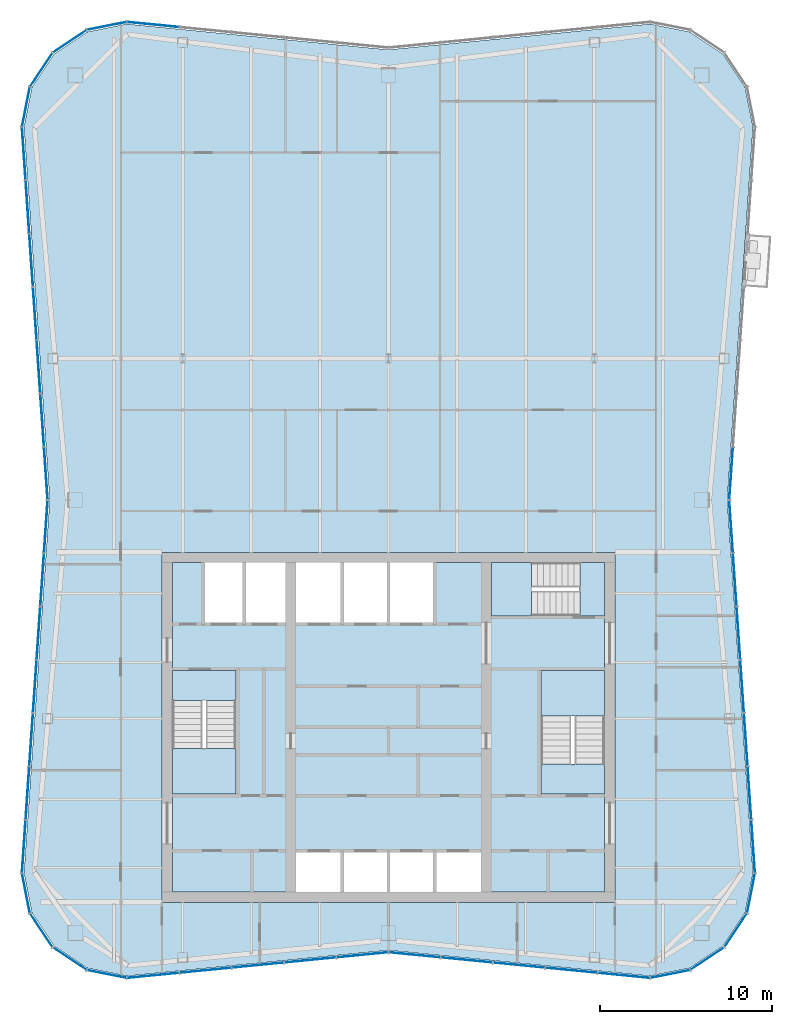
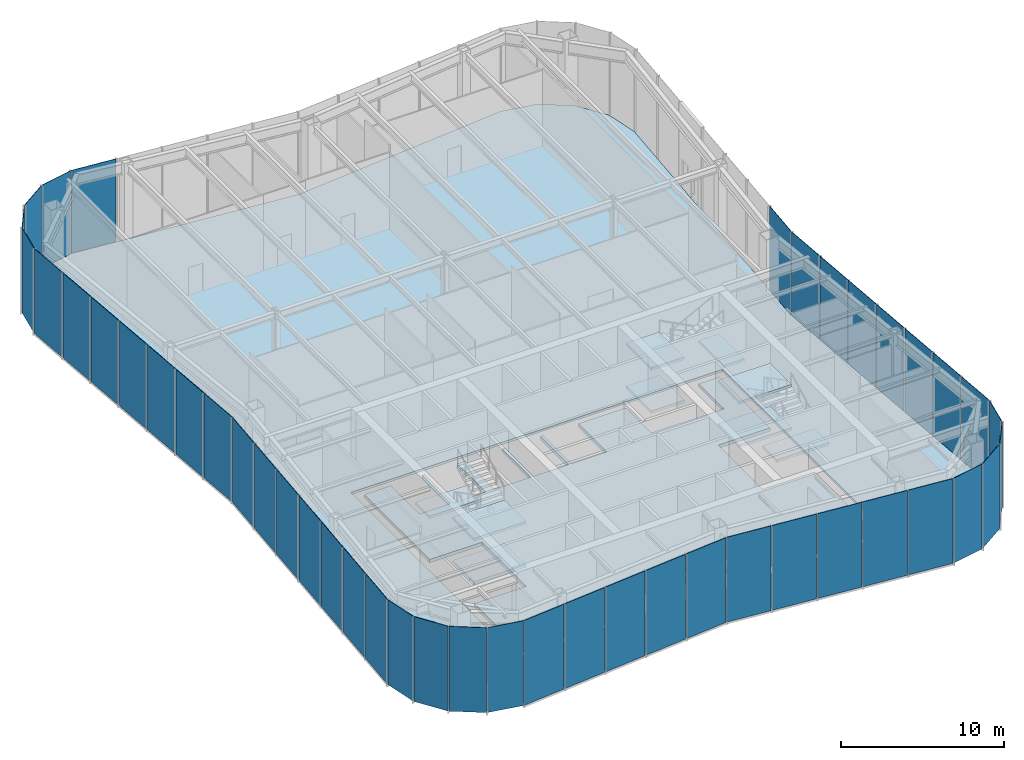
# One storey, part 8 of 15: 45 plates, 11 slabs, 10 elements without a shape of their own.
"""IFC4 building model written with IfcOpenShell, lengths in metres."""

from ifc_helpers import new_model, si_unit, direction, frame, origin, origin_2d, place, context, subcontext, project, spatial, polyline, rectangle, outline, extrude, material, layer, layer_set, type_object, element, aggregate, save


model = new_model("IFC4")

# Units and contexts
model_context = context("Model", 3, precision=1e-05, world=origin(), true_north=direction((0.0, 1.0)))
body_context = subcontext(model_context, "Body", "Model", "MODEL_VIEW")
ifc_project = project(units=[si_unit("LENGTHUNIT", "METRE"), si_unit("AREAUNIT", "SQUARE_METRE"), si_unit("VOLUMEUNIT", "CUBIC_METRE"), si_unit("PLANEANGLEUNIT", "RADIAN"), si_unit("MASSUNIT", "GRAM", prefix="KILO")], contexts=[model_context])

# Site, building, storey
site_placement = place(None, origin())
site = spatial("IfcSite", under=ifc_project, at=site_placement, CompositionType="ELEMENT")
building_placement = place(site_placement, origin())
building = spatial("IfcBuilding", under=site, at=building_placement, Name="Verdant Reach Tower", CompositionType="ELEMENT")
storey_placement = place(building_placement, frame((0.0, 0.0, 334.0)))
storey = spatial("IfcBuildingStorey", under=building, at=storey_placement, Name="L77", CompositionType="ELEMENT", Elevation=334.0)

# Stair, slabs
ifc_material_1 = material(Name="Concrete C40/50", Category="concrete")
stair_type = type_object("IfcStairType", Name="CO-STAIR", PredefinedType="HALF_TURN_STAIR", material=ifc_material_1)
stair_1_placement = place(storey_placement, origin())
stair_1 = element("IfcStair", 1, at=stair_1_placement, inside=storey, type_object=stair_type, Name="L77 Exit stair 1", PredefinedType="HALF_TURN_STAIR")
ifc_layer_1 = layer(ifc_material_1, 0.199951171875)
ifc_layer_set_1 = layer_set([ifc_layer_1], Name="CO-STAIR-LANDING")
slab_type_1 = type_object("IfcSlabType", Name="CO-STAIR-LANDING", PredefinedType="LANDING", material=ifc_layer_set_1)
slab_1_placement = place(storey_placement, frame((0.0, 0.0, 1.425048828125)))
slab_1 = element("IfcSlab", 2, at=slab_1_placement, type_object=slab_type_1, Name="ST-1 landing 1", PredefinedType="LANDING", context=body_context, shape_type="SweptSolid", body=[
    extrude(outline(polyline([(-12.60009765625, 26.75), (-12.60009765625, 24.10009765625), (-8.89990234375, 24.10009765625), (-8.89990234375, 26.75), (-12.60009765625, 26.75)])), origin(), (0.0, 0.0, 1.0), 0.199951171875),
])
slab_2_placement = place(storey_placement, frame((0.0, 0.0, 3.050048828125)))
slab_2 = element("IfcSlab", 3, at=slab_2_placement, type_object=slab_type_1, Name="ST-1 landing 2", PredefinedType="LANDING", context=body_context, shape_type="SweptSolid", body=[
    extrude(outline(polyline([(-12.60009765625, 31.300048828125), (-12.60009765625, 29.550048828125), (-8.89990234375, 29.550048828125), (-8.89990234375, 31.300048828125), (-12.60009765625, 31.300048828125)])), origin(), (0.0, 0.0, 1.0), 0.199951171875),
])
slab_3_placement = place(storey_placement, frame((0.0, 0.0, 4.675048828125)))
slab_3 = element("IfcSlab", 4, at=slab_3_placement, type_object=slab_type_1, Name="ST-1 landing 3", PredefinedType="LANDING", context=body_context, shape_type="SweptSolid", body=[
    extrude(outline(polyline([(-12.60009765625, 26.75), (-12.60009765625, 24.10009765625), (-8.89990234375, 24.10009765625), (-8.89990234375, 26.75), (-12.60009765625, 26.75)])), origin(), (0.0, 0.0, 1.0), 0.199951171875),
])
aggregate(stair_1, [slab_1, slab_2, slab_3])

stair_2_placement = place(storey_placement, origin())
stair_2 = element("IfcStair", 5, at=stair_2_placement, inside=storey, type_object=stair_type, Name="L77 Exit stair 2", PredefinedType="HALF_TURN_STAIR")
slab_4_placement = place(storey_placement, frame((0.0, 0.0, 1.425048828125)))
slab_4 = element("IfcSlab", 6, at=slab_4_placement, type_object=slab_type_1, Name="ST-2 landing 1", PredefinedType="LANDING", context=body_context, shape_type="SweptSolid", body=[
    extrude(outline(polyline([(12.60009765625, 28.64990234375), (12.60009765625, 31.300048828125), (8.89990234375, 31.300048828125), (8.89990234375, 28.64990234375), (12.60009765625, 28.64990234375)])), origin(), (0.0, 0.0, 1.0), 0.199951171875),
])
slab_5_placement = place(storey_placement, frame((0.0, 0.0, 3.050048828125)))
slab_5 = element("IfcSlab", 7, at=slab_5_placement, type_object=slab_type_1, Name="ST-2 landing 2", PredefinedType="LANDING", context=body_context, shape_type="SweptSolid", body=[
    extrude(outline(polyline([(12.60009765625, 24.10009765625), (12.60009765625, 25.85009765625), (8.89990234375, 25.85009765625), (8.89990234375, 24.10009765625), (12.60009765625, 24.10009765625)])), origin(), (0.0, 0.0, 1.0), 0.199951171875),
])
slab_6_placement = place(storey_placement, frame((0.0, 0.0, 4.675048828125)))
slab_6 = element("IfcSlab", 8, at=slab_6_placement, type_object=slab_type_1, Name="ST-2 landing 3", PredefinedType="LANDING", context=body_context, shape_type="SweptSolid", body=[
    extrude(outline(polyline([(12.60009765625, 28.64990234375), (12.60009765625, 31.300048828125), (8.89990234375, 31.300048828125), (8.89990234375, 28.64990234375), (12.60009765625, 28.64990234375)])), origin(), (0.0, 0.0, 1.0), 0.199951171875),
])
aggregate(stair_2, [slab_4, slab_5, slab_6])

stair_3_placement = place(storey_placement, origin())
stair_3 = element("IfcStair", 9, at=stair_3_placement, inside=storey, type_object=stair_type, Name="L77 Exit stair 3", PredefinedType="HALF_TURN_STAIR")
slab_7_placement = place(storey_placement, frame((0.0, 0.0, 1.425048828125)))
slab_7 = element("IfcSlab", 10, at=slab_7_placement, type_object=slab_type_1, Name="ST-3 landing 1", PredefinedType="LANDING", context=body_context, shape_type="SweptSolid", body=[
    extrude(outline(polyline([(8.35009765625, 37.60009765625), (6.0, 37.60009765625), (6.0, 34.5), (8.35009765625, 34.5), (8.35009765625, 37.60009765625)])), origin(), (0.0, 0.0, 1.0), 0.199951171875),
])
slab_8_placement = place(storey_placement, frame((0.0, 0.0, 3.050048828125)))
slab_8 = element("IfcSlab", 11, at=slab_8_placement, type_object=slab_type_1, Name="ST-3 landing 2", PredefinedType="LANDING", context=body_context, shape_type="SweptSolid", body=[
    extrude(outline(polyline([(12.60009765625, 37.60009765625), (11.14990234375, 37.60009765625), (11.14990234375, 34.5), (12.60009765625, 34.5), (12.60009765625, 37.60009765625)])), origin(), (0.0, 0.0, 1.0), 0.199951171875),
])
slab_9_placement = place(storey_placement, frame((0.0, 0.0, 4.675048828125)))
slab_9 = element("IfcSlab", 12, at=slab_9_placement, type_object=slab_type_1, Name="ST-3 landing 3", PredefinedType="LANDING", context=body_context, shape_type="SweptSolid", body=[
    extrude(outline(polyline([(8.35009765625, 37.60009765625), (6.0, 37.60009765625), (6.0, 34.5), (8.35009765625, 34.5), (8.35009765625, 37.60009765625)])), origin(), (0.0, 0.0, 1.0), 0.199951171875),
])
aggregate(stair_3, [slab_7, slab_8, slab_9])

# Curtain wall, plates
ifc_material_2 = material(Name="Anodised aluminium", Category="aluminium")
curtain_wall_type = type_object("IfcCurtainWallType", Name="EN-CW SYSTEM Z5", PredefinedType="NOTDEFINED", material=ifc_material_2)
curtain_wall_1_placement = place(storey_placement, origin())
curtain_wall_1 = element("IfcCurtainWall", 13, at=curtain_wall_1_placement, inside=storey, type_object=curtain_wall_type, Name="Curtain wall south-east corner, L77", PredefinedType="NOTDEFINED")
ifc_material_3 = material(Name="Clear laminated glass", Category="glass")
ifc_layer_2 = layer(ifc_material_3, 0.035888671875)
ifc_layer_set_2 = layer_set([ifc_layer_2], Name="EN-PANEL CLEAR")
plate_type = type_object("IfcPlateType", Name="EN-PANEL CLEAR", PredefinedType="CURTAIN_PANEL", material=ifc_layer_set_2)
plate_1_placement = place(storey_placement, frame((16.4228515625, 13.61767578125, -0.219970703125), z_axis=(0.0, 0.0, 1.0), x_axis=(0.980707834885, 0.195479263851, 0.0)))
plate_1 = element("IfcPlate", 14, at=plate_1_placement, type_object=plate_type, Name="Glass panel south-east corner 1.1, L77", PredefinedType="CURTAIN_PANEL", context=body_context, shape_type="SweptSolid", body=[
    extrude(rectangle(XDim=2.314453125, YDim=0.035888671875, at=origin_2d()), origin(), (0.0, 0.0, 1.0), 6.3701171875),
])
plate_2_placement = place(storey_placement, frame((18.58203125, 14.51318359375, -0.219970703125), z_axis=(0.0, 0.0, 1.0), x_axis=(0.831452073794, 0.555596480355, 0.0)))
plate_2 = element("IfcPlate", 15, at=plate_2_placement, type_object=plate_type, Name="Glass panel south-east corner 2.1, L77", PredefinedType="CURTAIN_PANEL", context=body_context, shape_type="SweptSolid", body=[
    extrude(rectangle(XDim=2.320068359375, YDim=0.035888671875, at=origin_2d()), origin(), (0.0, 0.0, 1.0), 6.3701171875),
])
plate_3_placement = place(storey_placement, frame((20.23681640625, 16.16796875, -0.219970703125), z_axis=(0.0, 0.0, 1.0), x_axis=(0.555596480355, 0.831452073794, 0.0)))
plate_3 = element("IfcPlate", 16, at=plate_3_placement, type_object=plate_type, Name="Glass panel south-east corner 3.1, L77", PredefinedType="CURTAIN_PANEL", context=body_context, shape_type="SweptSolid", body=[
    extrude(rectangle(XDim=2.320068359375, YDim=0.035888671875, at=origin_2d()), origin(), (0.0, 0.0, 1.0), 6.3701171875),
])
plate_4_placement = place(storey_placement, frame((21.132080078125, 18.326171875, -0.219970703125), z_axis=(0.0, 0.0, 1.0), x_axis=(0.195576026696, 0.980688542699, 0.0)))
plate_4 = element("IfcPlate", 17, at=plate_4_placement, type_object=plate_type, Name="Glass panel south-east corner 4.1, L77", PredefinedType="CURTAIN_PANEL", context=body_context, shape_type="SweptSolid", body=[
    extrude(rectangle(XDim=2.312744140625, YDim=0.035888671875, at=origin_2d()), origin(), (0.0, 0.0, 1.0), 6.3701171875),
])
aggregate(curtain_wall_1, [plate_1, plate_2, plate_3, plate_4])

curtain_wall_2_placement = place(storey_placement, origin())
curtain_wall_2 = element("IfcCurtainWall", 18, at=curtain_wall_2_placement, inside=storey, type_object=curtain_wall_type, Name="Curtain wall east, L77", PredefinedType="NOTDEFINED")
plate_5_placement = place(storey_placement, frame((21.257568359375, 21.053955078125, -0.219970703125), z_axis=(0.0, 0.0, 1.0), x_axis=(-0.068480299779, 0.99765246882, 0.0)))
plate_5 = element("IfcPlate", 19, at=plate_5_placement, type_object=plate_type, Name="Glass panel east face part 1 1.1, L77", PredefinedType="CURTAIN_PANEL", context=body_context, shape_type="SweptSolid", body=[
    extrude(rectangle(XDim=3.063720703125, YDim=0.035888671875, at=origin_2d()), origin(), (0.0, 0.0, 1.0), 6.3701171875),
])
plate_6_placement = place(storey_placement, frame((21.043212890625, 24.168701171875, -0.219970703125), z_axis=(0.0, 0.0, 1.0), x_axis=(-0.068802091615, 0.997630328423, 0.0)))
plate_6 = element("IfcPlate", 20, at=plate_6_placement, type_object=plate_type, Name="Glass panel east face part 1 2.1, L77", PredefinedType="CURTAIN_PANEL", context=body_context, shape_type="SweptSolid", body=[
    extrude(rectangle(XDim=3.048583984375, YDim=0.035888671875, at=origin_2d()), origin(), (0.0, 0.0, 1.0), 6.3701171875),
])
plate_7_placement = place(storey_placement, frame((20.8291015625, 27.27587890625, -0.219970703125), z_axis=(0.0, 0.0, 1.0), x_axis=(-0.068802091615, 0.997630328423, 0.0)))
plate_7 = element("IfcPlate", 21, at=plate_7_placement, type_object=plate_type, Name="Glass panel east face part 1 3.1, L77", PredefinedType="CURTAIN_PANEL", context=body_context, shape_type="SweptSolid", body=[
    extrude(rectangle(XDim=3.048583984375, YDim=0.035888671875, at=origin_2d()), origin(), (0.0, 0.0, 1.0), 6.3701171875),
])
plate_8_placement = place(storey_placement, frame((20.61474609375, 30.3828125, -0.219970703125), z_axis=(0.0, 0.0, 1.0), x_axis=(-0.068802091615, 0.997630328423, 0.0)))
plate_8 = element("IfcPlate", 22, at=plate_8_placement, type_object=plate_type, Name="Glass panel east face part 1 4.1, L77", PredefinedType="CURTAIN_PANEL", context=body_context, shape_type="SweptSolid", body=[
    extrude(rectangle(XDim=3.048583984375, YDim=0.035888671875, at=origin_2d()), origin(), (0.0, 0.0, 1.0), 6.3701171875),
])
plate_9_placement = place(storey_placement, frame((20.400390625, 33.489990234375, -0.219970703125), z_axis=(0.0, 0.0, 1.0), x_axis=(-0.068802091615, 0.997630328423, 0.0)))
plate_9 = element("IfcPlate", 23, at=plate_9_placement, type_object=plate_type, Name="Glass panel east face part 1 5.1, L77", PredefinedType="CURTAIN_PANEL", context=body_context, shape_type="SweptSolid", body=[
    extrude(rectangle(XDim=3.048583984375, YDim=0.035888671875, at=origin_2d()), origin(), (0.0, 0.0, 1.0), 6.3701171875),
])
plate_10_placement = place(storey_placement, frame((20.18603515625, 36.59716796875, -0.219970703125), z_axis=(0.0, 0.0, 1.0), x_axis=(-0.068802091615, 0.997630328423, 0.0)))
plate_10 = element("IfcPlate", 24, at=plate_10_placement, type_object=plate_type, Name="Glass panel east face part 1 6.1, L77", PredefinedType="CURTAIN_PANEL", context=body_context, shape_type="SweptSolid", body=[
    extrude(rectangle(XDim=3.048583984375, YDim=0.035888671875, at=origin_2d()), origin(), (0.0, 0.0, 1.0), 6.3701171875),
])
plate_11_placement = place(storey_placement, frame((19.971923828125, 39.700439453125, -0.219970703125), z_axis=(0.0, 0.0, 1.0), x_axis=(-0.068889603591, 0.997624289258, 0.0)))
plate_11 = element("IfcPlate", 25, at=plate_11_placement, type_object=plate_type, Name="Glass panel east face part 1 7.1, L77", PredefinedType="CURTAIN_PANEL", context=body_context, shape_type="SweptSolid", body=[
    extrude(rectangle(XDim=3.04052734375, YDim=0.035888671875, at=origin_2d()), origin(), (0.0, 0.0, 1.0), 6.3701171875),
])
plate_12_placement = place(storey_placement, frame((19.971923828125, 42.799560546875, -0.219970703125), z_axis=(0.0, 0.0, 1.0), x_axis=(0.068889603591, 0.997624289258, 0.0)))
plate_12 = element("IfcPlate", 26, at=plate_12_placement, type_object=plate_type, Name="Glass panel east face part 2 1.1, L77", PredefinedType="CURTAIN_PANEL", context=body_context, shape_type="SweptSolid", body=[
    extrude(rectangle(XDim=3.04052734375, YDim=0.035888671875, at=origin_2d()), origin(), (0.0, 0.0, 1.0), 6.3701171875),
])
aggregate(curtain_wall_2, [plate_5, plate_6, plate_7, plate_8, plate_9, plate_10, plate_11, plate_12])

# Curtain wall, plate
curtain_wall_3_placement = place(storey_placement, origin())
curtain_wall_3 = element("IfcCurtainWall", 27, at=curtain_wall_3_placement, inside=storey, type_object=curtain_wall_type, Name="Curtain wall north, L77", PredefinedType="NOTDEFINED")
plate_13_placement = place(storey_placement, frame((-13.72216796875, 68.964599609375, -0.219970703125), z_axis=(0.0, 0.0, 1.0), x_axis=(-0.995236831236, 0.097486664476, 0.0)))
plate_13 = element("IfcPlate", 28, at=plate_13_placement, type_object=plate_type, Name="Glass panel north face part 2 5.1, L77", PredefinedType="CURTAIN_PANEL", context=body_context, shape_type="SweptSolid", body=[
    extrude(rectangle(XDim=3.015625, YDim=0.035888671875, at=origin_2d()), origin(), (0.0, 0.0, 1.0), 6.3701171875),
])
aggregate(curtain_wall_3, [plate_13])

# Curtain wall, plates
curtain_wall_4_placement = place(storey_placement, origin())
curtain_wall_4 = element("IfcCurtainWall", 29, at=curtain_wall_4_placement, inside=storey, type_object=curtain_wall_type, Name="Curtain wall north-west corner, L77", PredefinedType="NOTDEFINED")
plate_14_placement = place(storey_placement, frame((-16.4228515625, 68.88232421875, -0.219970703125), z_axis=(0.0, 0.0, 1.0), x_axis=(-0.980707834885, -0.195479263851, 0.0)))
plate_14 = element("IfcPlate", 30, at=plate_14_placement, type_object=plate_type, Name="Glass panel north-west corner 1.1, L77", PredefinedType="CURTAIN_PANEL", context=body_context, shape_type="SweptSolid", body=[
    extrude(rectangle(XDim=2.314453125, YDim=0.035888671875, at=origin_2d()), origin(), (0.0, 0.0, 1.0), 6.3701171875),
])
plate_15_placement = place(storey_placement, frame((-18.58203125, 67.98681640625, -0.219970703125), z_axis=(0.0, 0.0, 1.0), x_axis=(-0.831452073794, -0.555596480355, 0.0)))
plate_15 = element("IfcPlate", 31, at=plate_15_placement, type_object=plate_type, Name="Glass panel north-west corner 2.1, L77", PredefinedType="CURTAIN_PANEL", context=body_context, shape_type="SweptSolid", body=[
    extrude(rectangle(XDim=2.320068359375, YDim=0.035888671875, at=origin_2d()), origin(), (0.0, 0.0, 1.0), 6.3701171875),
])
plate_16_placement = place(storey_placement, frame((-20.23681640625, 66.33203125, -0.219970703125), z_axis=(0.0, 0.0, 1.0), x_axis=(-0.555596480355, -0.831452073794, 0.0)))
plate_16 = element("IfcPlate", 32, at=plate_16_placement, type_object=plate_type, Name="Glass panel north-west corner 3.1, L77", PredefinedType="CURTAIN_PANEL", context=body_context, shape_type="SweptSolid", body=[
    extrude(rectangle(XDim=2.320068359375, YDim=0.035888671875, at=origin_2d()), origin(), (0.0, 0.0, 1.0), 6.3701171875),
])
plate_17_placement = place(storey_placement, frame((-21.132080078125, 64.173828125, -0.219970703125), z_axis=(0.0, 0.0, 1.0), x_axis=(-0.195576026696, -0.980688542699, 0.0)))
plate_17 = element("IfcPlate", 33, at=plate_17_placement, type_object=plate_type, Name="Glass panel north-west corner 4.1, L77", PredefinedType="CURTAIN_PANEL", context=body_context, shape_type="SweptSolid", body=[
    extrude(rectangle(XDim=2.312744140625, YDim=0.035888671875, at=origin_2d()), origin(), (0.0, 0.0, 1.0), 6.3701171875),
])
aggregate(curtain_wall_4, [plate_14, plate_15, plate_16, plate_17])

curtain_wall_5_placement = place(storey_placement, origin())
curtain_wall_5 = element("IfcCurtainWall", 34, at=curtain_wall_5_placement, inside=storey, type_object=curtain_wall_type, Name="Curtain wall west, L77", PredefinedType="NOTDEFINED")
plate_18_placement = place(storey_placement, frame((-21.257568359375, 61.446044921875, -0.219970703125), z_axis=(0.0, 0.0, 1.0), x_axis=(0.068480299779, -0.99765246882, 0.0)))
plate_18 = element("IfcPlate", 35, at=plate_18_placement, type_object=plate_type, Name="Glass panel west face part 1 1.1, L77", PredefinedType="CURTAIN_PANEL", context=body_context, shape_type="SweptSolid", body=[
    extrude(rectangle(XDim=3.063720703125, YDim=0.035888671875, at=origin_2d()), origin(), (0.0, 0.0, 1.0), 6.3701171875),
])
plate_19_placement = place(storey_placement, frame((-21.043212890625, 58.331298828125, -0.219970703125), z_axis=(0.0, 0.0, 1.0), x_axis=(0.068802091615, -0.997630328423, 0.0)))
plate_19 = element("IfcPlate", 36, at=plate_19_placement, type_object=plate_type, Name="Glass panel west face part 1 2.1, L77", PredefinedType="CURTAIN_PANEL", context=body_context, shape_type="SweptSolid", body=[
    extrude(rectangle(XDim=3.048583984375, YDim=0.035888671875, at=origin_2d()), origin(), (0.0, 0.0, 1.0), 6.3701171875),
])
plate_20_placement = place(storey_placement, frame((-20.8291015625, 55.22412109375, -0.219970703125), z_axis=(0.0, 0.0, 1.0), x_axis=(0.068802091615, -0.997630328423, 0.0)))
plate_20 = element("IfcPlate", 37, at=plate_20_placement, type_object=plate_type, Name="Glass panel west face part 1 3.1, L77", PredefinedType="CURTAIN_PANEL", context=body_context, shape_type="SweptSolid", body=[
    extrude(rectangle(XDim=3.048583984375, YDim=0.035888671875, at=origin_2d()), origin(), (0.0, 0.0, 1.0), 6.3701171875),
])
plate_21_placement = place(storey_placement, frame((-20.61474609375, 52.1171875, -0.219970703125), z_axis=(0.0, 0.0, 1.0), x_axis=(0.068802091615, -0.997630328423, 0.0)))
plate_21 = element("IfcPlate", 38, at=plate_21_placement, type_object=plate_type, Name="Glass panel west face part 1 4.1, L77", PredefinedType="CURTAIN_PANEL", context=body_context, shape_type="SweptSolid", body=[
    extrude(rectangle(XDim=3.048583984375, YDim=0.035888671875, at=origin_2d()), origin(), (0.0, 0.0, 1.0), 6.3701171875),
])
plate_22_placement = place(storey_placement, frame((-20.400390625, 49.010009765625, -0.219970703125), z_axis=(0.0, 0.0, 1.0), x_axis=(0.068802091615, -0.997630328423, 0.0)))
plate_22 = element("IfcPlate", 39, at=plate_22_placement, type_object=plate_type, Name="Glass panel west face part 1 5.1, L77", PredefinedType="CURTAIN_PANEL", context=body_context, shape_type="SweptSolid", body=[
    extrude(rectangle(XDim=3.048583984375, YDim=0.035888671875, at=origin_2d()), origin(), (0.0, 0.0, 1.0), 6.3701171875),
])
plate_23_placement = place(storey_placement, frame((-20.18603515625, 45.90283203125, -0.219970703125), z_axis=(0.0, 0.0, 1.0), x_axis=(0.068802091615, -0.997630328423, 0.0)))
plate_23 = element("IfcPlate", 40, at=plate_23_placement, type_object=plate_type, Name="Glass panel west face part 1 6.1, L77", PredefinedType="CURTAIN_PANEL", context=body_context, shape_type="SweptSolid", body=[
    extrude(rectangle(XDim=3.048583984375, YDim=0.035888671875, at=origin_2d()), origin(), (0.0, 0.0, 1.0), 6.3701171875),
])
plate_24_placement = place(storey_placement, frame((-19.971923828125, 42.799560546875, -0.219970703125), z_axis=(0.0, 0.0, 1.0), x_axis=(0.068889603591, -0.997624289258, 0.0)))
plate_24 = element("IfcPlate", 41, at=plate_24_placement, type_object=plate_type, Name="Glass panel west face part 1 7.1, L77", PredefinedType="CURTAIN_PANEL", context=body_context, shape_type="SweptSolid", body=[
    extrude(rectangle(XDim=3.04052734375, YDim=0.035888671875, at=origin_2d()), origin(), (0.0, 0.0, 1.0), 6.3701171875),
])
plate_25_placement = place(storey_placement, frame((-19.971923828125, 39.700439453125, -0.219970703125), z_axis=(0.0, 0.0, 1.0), x_axis=(-0.068889603591, -0.997624289258, 0.0)))
plate_25 = element("IfcPlate", 42, at=plate_25_placement, type_object=plate_type, Name="Glass panel west face part 2 1.1, L77", PredefinedType="CURTAIN_PANEL", context=body_context, shape_type="SweptSolid", body=[
    extrude(rectangle(XDim=3.04052734375, YDim=0.035888671875, at=origin_2d()), origin(), (0.0, 0.0, 1.0), 6.3701171875),
])
plate_26_placement = place(storey_placement, frame((-20.18603515625, 36.59716796875, -0.219970703125), z_axis=(0.0, 0.0, 1.0), x_axis=(-0.068802091615, -0.997630328423, 0.0)))
plate_26 = element("IfcPlate", 43, at=plate_26_placement, type_object=plate_type, Name="Glass panel west face part 2 2.1, L77", PredefinedType="CURTAIN_PANEL", context=body_context, shape_type="SweptSolid", body=[
    extrude(rectangle(XDim=3.048583984375, YDim=0.035888671875, at=origin_2d()), origin(), (0.0, 0.0, 1.0), 6.3701171875),
])
plate_27_placement = place(storey_placement, frame((-20.400390625, 33.489990234375, -0.219970703125), z_axis=(0.0, 0.0, 1.0), x_axis=(-0.068802091615, -0.997630328423, 0.0)))
plate_27 = element("IfcPlate", 44, at=plate_27_placement, type_object=plate_type, Name="Glass panel west face part 2 3.1, L77", PredefinedType="CURTAIN_PANEL", context=body_context, shape_type="SweptSolid", body=[
    extrude(rectangle(XDim=3.048583984375, YDim=0.035888671875, at=origin_2d()), origin(), (0.0, 0.0, 1.0), 6.3701171875),
])
plate_28_placement = place(storey_placement, frame((-20.61474609375, 30.3828125, -0.219970703125), z_axis=(0.0, 0.0, 1.0), x_axis=(-0.068802091615, -0.997630328423, 0.0)))
plate_28 = element("IfcPlate", 45, at=plate_28_placement, type_object=plate_type, Name="Glass panel west face part 2 4.1, L77", PredefinedType="CURTAIN_PANEL", context=body_context, shape_type="SweptSolid", body=[
    extrude(rectangle(XDim=3.048583984375, YDim=0.035888671875, at=origin_2d()), origin(), (0.0, 0.0, 1.0), 6.3701171875),
])
plate_29_placement = place(storey_placement, frame((-20.8291015625, 27.27587890625, -0.219970703125), z_axis=(0.0, 0.0, 1.0), x_axis=(-0.068802091615, -0.997630328423, 0.0)))
plate_29 = element("IfcPlate", 46, at=plate_29_placement, type_object=plate_type, Name="Glass panel west face part 2 5.1, L77", PredefinedType="CURTAIN_PANEL", context=body_context, shape_type="SweptSolid", body=[
    extrude(rectangle(XDim=3.048583984375, YDim=0.035888671875, at=origin_2d()), origin(), (0.0, 0.0, 1.0), 6.3701171875),
])
plate_30_placement = place(storey_placement, frame((-21.043212890625, 24.168701171875, -0.219970703125), z_axis=(0.0, 0.0, 1.0), x_axis=(-0.068802091615, -0.997630328423, 0.0)))
plate_30 = element("IfcPlate", 47, at=plate_30_placement, type_object=plate_type, Name="Glass panel west face part 2 6.1, L77", PredefinedType="CURTAIN_PANEL", context=body_context, shape_type="SweptSolid", body=[
    extrude(rectangle(XDim=3.048583984375, YDim=0.035888671875, at=origin_2d()), origin(), (0.0, 0.0, 1.0), 6.3701171875),
])
plate_31_placement = place(storey_placement, frame((-21.257568359375, 21.053955078125, -0.219970703125), z_axis=(0.0, 0.0, 1.0), x_axis=(-0.068480299779, -0.99765246882, 0.0)))
plate_31 = element("IfcPlate", 48, at=plate_31_placement, type_object=plate_type, Name="Glass panel west face part 2 7.1, L77", PredefinedType="CURTAIN_PANEL", context=body_context, shape_type="SweptSolid", body=[
    extrude(rectangle(XDim=3.063720703125, YDim=0.035888671875, at=origin_2d()), origin(), (0.0, 0.0, 1.0), 6.3701171875),
])
aggregate(curtain_wall_5, [plate_18, plate_19, plate_20, plate_21, plate_22, plate_23, plate_24, plate_25, plate_26, plate_27, plate_28, plate_29, plate_30, plate_31])

curtain_wall_6_placement = place(storey_placement, origin())
curtain_wall_6 = element("IfcCurtainWall", 49, at=curtain_wall_6_placement, inside=storey, type_object=curtain_wall_type, Name="Curtain wall south-west corner, L77", PredefinedType="NOTDEFINED")
plate_32_placement = place(storey_placement, frame((-21.132080078125, 18.326171875, -0.219970703125), z_axis=(0.0, 0.0, 1.0), x_axis=(0.195576026696, -0.980688542699, 0.0)))
plate_32 = element("IfcPlate", 50, at=plate_32_placement, type_object=plate_type, Name="Glass panel south-west corner 1.1, L77", PredefinedType="CURTAIN_PANEL", context=body_context, shape_type="SweptSolid", body=[
    extrude(rectangle(XDim=2.312744140625, YDim=0.035888671875, at=origin_2d()), origin(), (0.0, 0.0, 1.0), 6.3701171875),
])
plate_33_placement = place(storey_placement, frame((-20.23681640625, 16.16796875, -0.219970703125), z_axis=(0.0, 0.0, 1.0), x_axis=(0.555596480355, -0.831452073794, 0.0)))
plate_33 = element("IfcPlate", 51, at=plate_33_placement, type_object=plate_type, Name="Glass panel south-west corner 2.1, L77", PredefinedType="CURTAIN_PANEL", context=body_context, shape_type="SweptSolid", body=[
    extrude(rectangle(XDim=2.320068359375, YDim=0.035888671875, at=origin_2d()), origin(), (0.0, 0.0, 1.0), 6.3701171875),
])
plate_34_placement = place(storey_placement, frame((-18.58203125, 14.51318359375, -0.219970703125), z_axis=(0.0, 0.0, 1.0), x_axis=(0.831452073794, -0.555596480355, 0.0)))
plate_34 = element("IfcPlate", 52, at=plate_34_placement, type_object=plate_type, Name="Glass panel south-west corner 3.1, L77", PredefinedType="CURTAIN_PANEL", context=body_context, shape_type="SweptSolid", body=[
    extrude(rectangle(XDim=2.320068359375, YDim=0.035888671875, at=origin_2d()), origin(), (0.0, 0.0, 1.0), 6.3701171875),
])
plate_35_placement = place(storey_placement, frame((-16.4228515625, 13.61767578125, -0.219970703125), z_axis=(0.0, 0.0, 1.0), x_axis=(0.980707834885, -0.195479263851, 0.0)))
plate_35 = element("IfcPlate", 53, at=plate_35_placement, type_object=plate_type, Name="Glass panel south-west corner 4.1, L77", PredefinedType="CURTAIN_PANEL", context=body_context, shape_type="SweptSolid", body=[
    extrude(rectangle(XDim=2.314453125, YDim=0.035888671875, at=origin_2d()), origin(), (0.0, 0.0, 1.0), 6.3701171875),
])
aggregate(curtain_wall_6, [plate_32, plate_33, plate_34, plate_35])

curtain_wall_7_placement = place(storey_placement, origin())
curtain_wall_7 = element("IfcCurtainWall", 54, at=curtain_wall_7_placement, inside=storey, type_object=curtain_wall_type, Name="Curtain wall south, L77", PredefinedType="NOTDEFINED")
plate_36_placement = place(storey_placement, frame((-13.72216796875, 13.535400390625, -0.219970703125), z_axis=(0.0, 0.0, 1.0), x_axis=(0.995236831236, 0.097486664476, 0.0)))
plate_36 = element("IfcPlate", 55, at=plate_36_placement, type_object=plate_type, Name="Glass panel south face part 1 1.1, L77", PredefinedType="CURTAIN_PANEL", context=body_context, shape_type="SweptSolid", body=[
    extrude(rectangle(XDim=3.015625, YDim=0.035888671875, at=origin_2d()), origin(), (0.0, 0.0, 1.0), 6.3701171875),
])
plate_37_placement = place(storey_placement, frame((-10.663818359375, 13.83544921875, -0.219970703125), z_axis=(0.0, 0.0, 1.0), x_axis=(0.995197410875, 0.09788826992, 0.0)))
plate_37 = element("IfcPlate", 56, at=plate_37_placement, type_object=plate_type, Name="Glass panel south face part 1 2.1, L77", PredefinedType="CURTAIN_PANEL", context=body_context, shape_type="SweptSolid", body=[
    extrude(rectangle(XDim=2.998779296875, YDim=0.035888671875, at=origin_2d()), origin(), (0.0, 0.0, 1.0), 6.3701171875),
])
plate_38_placement = place(storey_placement, frame((-7.61376953125, 14.135498046875, -0.219970703125), z_axis=(0.0, 0.0, 1.0), x_axis=(0.995197410875, 0.09788826992, 0.0)))
plate_38 = element("IfcPlate", 57, at=plate_38_placement, type_object=plate_type, Name="Glass panel south face part 1 3.1, L77", PredefinedType="CURTAIN_PANEL", context=body_context, shape_type="SweptSolid", body=[
    extrude(rectangle(XDim=2.998779296875, YDim=0.035888671875, at=origin_2d()), origin(), (0.0, 0.0, 1.0), 6.3701171875),
])
plate_39_placement = place(storey_placement, frame((-4.563720703125, 14.435546875, -0.219970703125), z_axis=(0.0, 0.0, 1.0), x_axis=(0.995197410875, 0.09788826992, 0.0)))
plate_39 = element("IfcPlate", 58, at=plate_39_placement, type_object=plate_type, Name="Glass panel south face part 1 4.1, L77", PredefinedType="CURTAIN_PANEL", context=body_context, shape_type="SweptSolid", body=[
    extrude(rectangle(XDim=2.998779296875, YDim=0.035888671875, at=origin_2d()), origin(), (0.0, 0.0, 1.0), 6.3701171875),
])
plate_40_placement = place(storey_placement, frame((-1.519287109375, 14.7353515625, -0.219970703125), z_axis=(0.0, 0.0, 1.0), x_axis=(0.995179688961, 0.098068275603, 0.0)))
plate_40 = element("IfcPlate", 59, at=plate_40_placement, type_object=plate_type, Name="Glass panel south face part 1 5.1, L77", PredefinedType="CURTAIN_PANEL", context=body_context, shape_type="SweptSolid", body=[
    extrude(rectangle(XDim=2.987548828125, YDim=0.035888671875, at=origin_2d()), origin(), (0.0, 0.0, 1.0), 6.3701171875),
])
plate_41_placement = place(storey_placement, frame((1.519287109375, 14.7353515625, -0.219970703125), z_axis=(0.0, 0.0, 1.0), x_axis=(0.995179688961, -0.098068275603, 0.0)))
plate_41 = element("IfcPlate", 60, at=plate_41_placement, type_object=plate_type, Name="Glass panel south face part 2 1.1, L77", PredefinedType="CURTAIN_PANEL", context=body_context, shape_type="SweptSolid", body=[
    extrude(rectangle(XDim=2.987548828125, YDim=0.035888671875, at=origin_2d()), origin(), (0.0, 0.0, 1.0), 6.3701171875),
])
plate_42_placement = place(storey_placement, frame((4.563720703125, 14.435546875, -0.219970703125), z_axis=(0.0, 0.0, 1.0), x_axis=(0.995197410875, -0.09788826992, 0.0)))
plate_42 = element("IfcPlate", 61, at=plate_42_placement, type_object=plate_type, Name="Glass panel south face part 2 2.1, L77", PredefinedType="CURTAIN_PANEL", context=body_context, shape_type="SweptSolid", body=[
    extrude(rectangle(XDim=2.998779296875, YDim=0.035888671875, at=origin_2d()), origin(), (0.0, 0.0, 1.0), 6.3701171875),
])
plate_43_placement = place(storey_placement, frame((7.61376953125, 14.135498046875, -0.219970703125), z_axis=(0.0, 0.0, 1.0), x_axis=(0.995197410875, -0.09788826992, 0.0)))
plate_43 = element("IfcPlate", 62, at=plate_43_placement, type_object=plate_type, Name="Glass panel south face part 2 3.1, L77", PredefinedType="CURTAIN_PANEL", context=body_context, shape_type="SweptSolid", body=[
    extrude(rectangle(XDim=2.998779296875, YDim=0.035888671875, at=origin_2d()), origin(), (0.0, 0.0, 1.0), 6.3701171875),
])
plate_44_placement = place(storey_placement, frame((10.663818359375, 13.83544921875, -0.219970703125), z_axis=(0.0, 0.0, 1.0), x_axis=(0.995197410875, -0.09788826992, 0.0)))
plate_44 = element("IfcPlate", 63, at=plate_44_placement, type_object=plate_type, Name="Glass panel south face part 2 4.1, L77", PredefinedType="CURTAIN_PANEL", context=body_context, shape_type="SweptSolid", body=[
    extrude(rectangle(XDim=2.998779296875, YDim=0.035888671875, at=origin_2d()), origin(), (0.0, 0.0, 1.0), 6.3701171875),
])
plate_45_placement = place(storey_placement, frame((13.72216796875, 13.535400390625, -0.219970703125), z_axis=(0.0, 0.0, 1.0), x_axis=(0.995236831236, -0.097486664476, 0.0)))
plate_45 = element("IfcPlate", 64, at=plate_45_placement, type_object=plate_type, Name="Glass panel south face part 2 5.1, L77", PredefinedType="CURTAIN_PANEL", context=body_context, shape_type="SweptSolid", body=[
    extrude(rectangle(XDim=3.015625, YDim=0.035888671875, at=origin_2d()), origin(), (0.0, 0.0, 1.0), 6.3701171875),
])
aggregate(curtain_wall_7, [plate_36, plate_37, plate_38, plate_39, plate_40, plate_41, plate_42, plate_43, plate_44, plate_45])

# Slabs
ifc_material_4 = material(Name="Concrete C35/45", Category="concrete")
ifc_layer_3 = layer(ifc_material_4, 0.179931640625)
ifc_layer_set_3 = layer_set([ifc_layer_3], Name="ST-SLAB-180")
slab_type_2 = type_object("IfcSlabType", Name="ST-SLAB-180", PredefinedType="FLOOR", material=ifc_layer_set_3)
slab_10_placement = place(storey_placement, frame((0.0, 0.0, -0.179931640625)))
element("IfcSlab", 65, at=slab_10_placement, inside=storey, type_object=slab_type_2, Name="Floor slab L77", PredefinedType="FLOOR", context=body_context, shape_type="SweptSolid", body=[
    extrude(outline(polyline([(0.0, 15.0), (-15.25, 13.5), (-17.546142578125, 13.956787109375), (-19.49267578125, 15.25732421875), (-20.793212890625, 17.203857421875), (-21.25, 19.5), (-19.75, 41.25), (-21.25, 63.0), (-20.793212890625, 65.296142578125), (-19.49267578125, 67.24267578125), (-17.546142578125, 68.543212890625), (-15.25, 69.0), (0.0, 67.5), (15.25, 69.0), (17.546142578125, 68.543212890625), (19.49267578125, 67.24267578125), (20.793212890625, 65.296142578125), (21.25, 63.0), (19.75, 41.25), (21.25, 19.5), (20.793212890625, 17.203857421875), (19.49267578125, 15.25732421875), (17.546142578125, 13.956787109375), (15.25, 13.5), (0.0, 15.0)]), holes=[polyline([(13.199951171875, 38.199951171875), (-13.199951171875, 38.199951171875), (-13.199951171875, 17.800048828125), (13.199951171875, 17.800048828125), (13.199951171875, 38.199951171875)])]), origin(), (0.0, 0.0, 1.0), 0.179931640625),
])
ifc_layer_4 = layer(ifc_material_4, 0.25)
ifc_layer_set_4 = layer_set([ifc_layer_4], Name="ST-SLAB-250")
slab_type_3 = type_object("IfcSlabType", Name="ST-SLAB-250", PredefinedType="FLOOR", material=ifc_layer_set_4)
slab_11_placement = place(storey_placement, frame((0.0, 0.0, -0.25)))
element("IfcSlab", 66, at=slab_11_placement, inside=storey, type_object=slab_type_3, Name="Core floor slab L77", PredefinedType="FLOOR", context=body_context, shape_type="SweptSolid", body=[
    extrude(outline(polyline([(12.60009765625, 18.39990234375), (5.39990234375, 18.39990234375), (5.39990234375, 20.699951171875), (2.800048828125, 20.699951171875), (2.800048828125, 18.39990234375), (2.60009765625, 18.39990234375), (2.60009765625, 20.699951171875), (0.10009765625, 20.699951171875), (0.10009765625, 18.39990234375), (-0.10009765625, 18.39990234375), (-0.10009765625, 20.699951171875), (-2.60009765625, 20.699951171875), (-2.60009765625, 18.39990234375), (-2.800048828125, 18.39990234375), (-2.800048828125, 20.699951171875), (-5.39990234375, 20.699951171875), (-5.39990234375, 18.39990234375), (-12.60009765625, 18.39990234375), (-12.60009765625, 24.10009765625), (-8.89990234375, 24.10009765625), (-8.89990234375, 29.548095703125), (-12.60009765625, 29.548095703125), (-12.60009765625, 37.60009765625), (-10.699951171875, 37.60009765625), (-10.699951171875, 34.10009765625), (-8.5, 34.10009765625), (-8.5, 37.60009765625), (-8.300048828125, 37.60009765625), (-8.300048828125, 34.10009765625), (-6.0, 34.10009765625), (-6.0, 37.60009765625), (-5.39990234375, 37.60009765625), (-5.39990234375, 34.10009765625), (-2.800048828125, 34.10009765625), (-2.800048828125, 37.60009765625), (-2.60009765625, 37.60009765625), (-2.60009765625, 34.10009765625), (-0.10009765625, 34.10009765625), (-0.10009765625, 37.60009765625), (0.10009765625, 37.60009765625), (0.10009765625, 34.10009765625), (2.60009765625, 34.10009765625), (2.60009765625, 37.60009765625), (6.0, 37.60009765625), (6.0, 34.5), (11.14794921875, 34.5), (11.14794921875, 37.60009765625), (12.60009765625, 37.60009765625), (12.60009765625, 31.300048828125), (8.89990234375, 31.300048828125), (8.89990234375, 25.85205078125), (12.60009765625, 25.85205078125), (12.60009765625, 18.39990234375)])), origin(), (0.0, 0.0, 1.0), 0.25),
])

save(model, "model.ifc")
